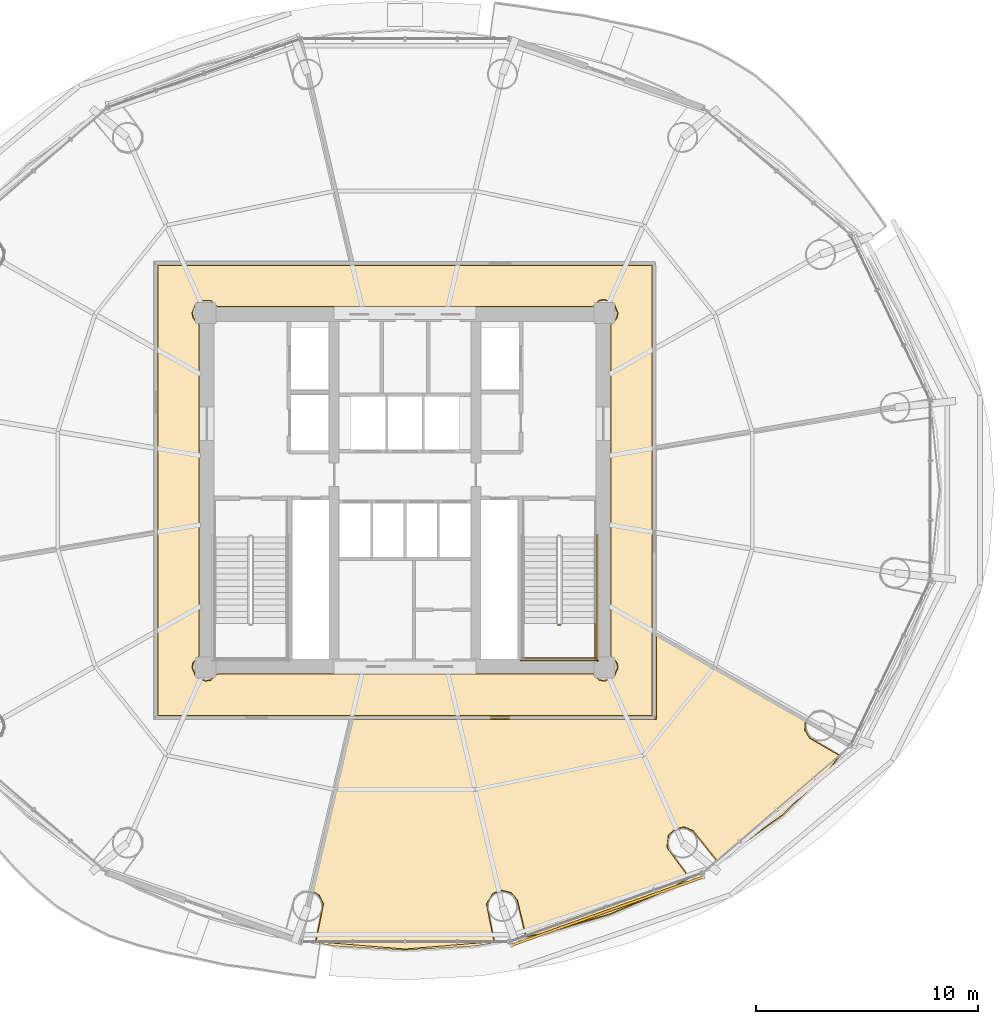
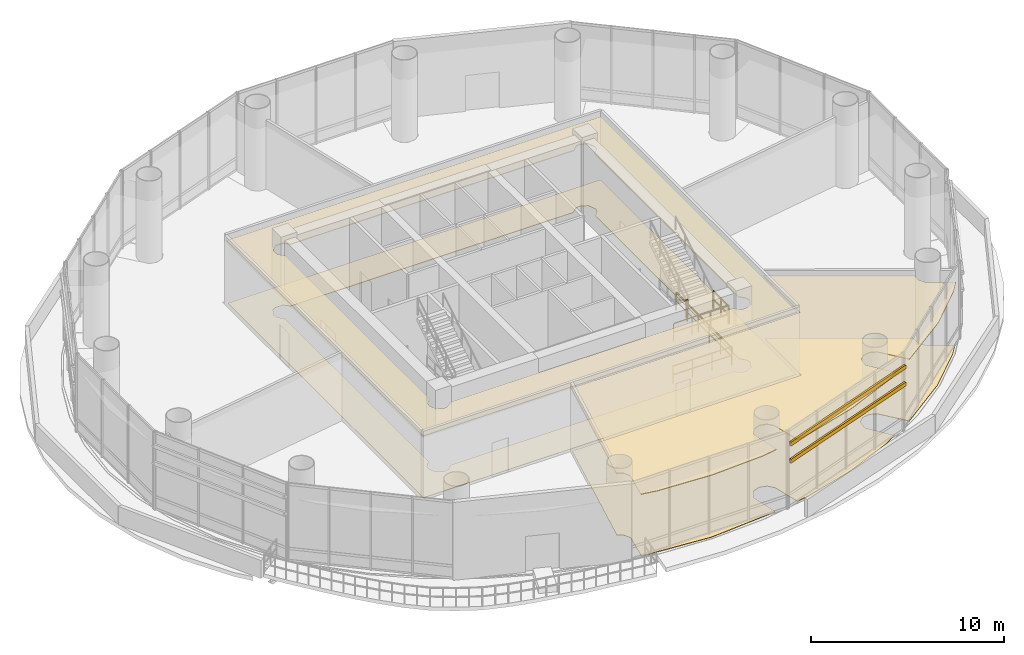
# One storey, part 27 of 29: 5 railings, 4 coverings, 2 shading devices.
"""IFC4 building model written with IfcOpenShell, lengths in metres."""

from ifc_helpers import new_model, si_unit, direction, frame, origin, origin_2d, place, context, subcontext, project, spatial, polyline, rectangle, hollow_rectangle, outline, extrude, source, transform, mapped, material, layer, layer_set, material_profile, profile_set, type_object, element, save


model = new_model("IFC4")

# Units and contexts
model_context = context("Model", 3, precision=1e-05, world=origin(), true_north=direction((-0.2419218956, 0.970295726276)))
body_context = subcontext(model_context, "Body", "Model", "MODEL_VIEW")
ifc_project = project(units=[si_unit("LENGTHUNIT", "METRE"), si_unit("AREAUNIT", "SQUARE_METRE"), si_unit("VOLUMEUNIT", "CUBIC_METRE"), si_unit("PLANEANGLEUNIT", "RADIAN"), si_unit("MASSUNIT", "GRAM", prefix="KILO")], contexts=[model_context])

# Site, building, storey
site_placement = place(None, origin())
site = spatial("IfcSite", under=ifc_project, at=site_placement, CompositionType="ELEMENT")
building_placement = place(site_placement, origin())
building = spatial("IfcBuilding", under=site, at=building_placement, Name="Cobrevalo Terracotta Tower", CompositionType="ELEMENT")
storey_placement = place(building_placement, frame((0.0, 0.0, 130.199951171875)))
storey = spatial("IfcBuildingStorey", under=building, at=storey_placement, Name="L34", CompositionType="ELEMENT", Elevation=130.199951171875)

# Coverings
ifc_material_1 = material(Name="Honed terracotta and granite tile", Category="masonry")
ifc_layer_1 = layer(ifc_material_1, 0.034912109375)
ifc_layer_set_1 = layer_set([ifc_layer_1], Name="Honed terracotta and granite tile")
covering_type_1 = type_object("IfcCoveringType", Name="Honed Terracotta & Granite Interior Flooring 35", PredefinedType="FLOORING", material=ifc_layer_set_1)
covering_1_placement = place(storey_placement, origin())
element("IfcCovering", 1, at=covering_1_placement, inside=storey, type_object=covering_type_1, Name="L34 Sky Transfer Concourse floor finish", PredefinedType="FLOORING", context=body_context, shape_type="SweptSolid", body=[
    extrude(outline(polyline([(49.155029296875, 16.64501953125), (26.844970703125, 16.64501953125), (26.844970703125, 36.955078125), (49.155029296875, 36.955078125), (49.155029296875, 16.64501953125)]), holes=[polyline([(29.53466796875, 35.094970703125), (29.2373046875, 35.373291015625), (28.7626953125, 35.373291015625), (28.561279296875, 35.23876953125), (28.379638671875, 34.800048828125), (28.4267578125, 34.5625), (28.705078125, 34.265380859375), (28.705078125, 19.334716796875), (28.4267578125, 19.037353515625), (28.379638671875, 18.800048828125), (28.561279296875, 18.361328125), (29.0, 18.1796875), (29.2373046875, 18.226806640625), (29.53466796875, 18.5048828125), (46.46533203125, 18.5048828125), (46.7626953125, 18.226806640625), (47.0, 18.1796875), (47.438720703125, 18.361328125), (47.620361328125, 18.800048828125), (47.5732421875, 19.037353515625), (47.294921875, 19.334716796875), (47.294921875, 34.265380859375), (47.5732421875, 34.5625), (47.620361328125, 34.800048828125), (47.438720703125, 35.23876953125), (47.0, 35.42041015625), (46.7626953125, 35.373291015625), (46.46533203125, 35.094970703125), (29.53466796875, 35.094970703125)])]), origin(), (0.0, 0.0, 1.0), 0.030029296875),
])
covering_2_placement = place(storey_placement, origin())
element("IfcCovering", 2, at=covering_2_placement, inside=storey, type_object=covering_type_1, Name="L34 Accessible Sky Restrooms WC floor finish", PredefinedType="FLOORING", context=body_context, shape_type="SweptSolid", body=[
    extrude(outline(polyline([(55.042236328125, 12.163818359375), (52.1142578125, 10.05810546875), (51.00927734375, 11.439697265625), (50.61572265625, 11.6123046875), (50.192626953125, 11.537109375), (49.8828125, 11.239501953125), (49.815673828125, 10.67724609375), (50.81689453125, 9.3134765625), (50.051025390625, 8.873779296875), (47.2236328125, 7.676025390625), (44.23828125, 6.805419921875), (43.473876953125, 6.675048828125), (43.072998046875, 8.323974609375), (42.78955078125, 8.646728515625), (42.374267578125, 8.757568359375), (41.967529296875, 8.619140625), (41.6689453125, 8.1376953125), (42.012451171875, 6.42529296875), (38.0, 6.10009765625), (33.987548828125, 6.42529296875), (34.3310546875, 8.1376953125), (34.141357421875, 8.5234375), (33.83544921875, 8.716064453125), (35.6240234375, 16.445068359375), (49.35498046875, 16.445068359375), (49.35498046875, 20.255615234375), (56.05615234375, 16.4072265625), (56.0361328125, 15.9638671875), (56.265869140625, 15.600830078125), (57.606201171875, 14.823974609375), (57.12060546875, 14.19970703125), (55.042236328125, 12.163818359375)])), origin(), (0.0, 0.0, 1.0), 0.030029296875),
])
ifc_material_2 = material(Name="Moisture-resistant mineral fibre ceiling", Category="gypsum")
ifc_layer_2 = layer(ifc_material_2, 0.0400390625)
ifc_layer_set_2 = layer_set([ifc_layer_2], Name="Moisture-resistant mineral fibre ceiling")
covering_type_2 = type_object("IfcCoveringType", Name="Moisture-Resistant Wet-Room Ceiling 40", PredefinedType="CEILING", material=ifc_layer_set_2)
covering_3_placement = place(storey_placement, frame((0.0, 0.0, 3.93994140625)))
element("IfcCovering", 3, at=covering_3_placement, inside=storey, type_object=covering_type_2, Name="L34 Accessible Sky Restrooms WC acoustic ceiling", PredefinedType="CEILING", context=body_context, shape_type="SweptSolid", body=[
    extrude(outline(polyline([(55.07177734375, 12.129638671875), (52.10302734375, 9.999755859375), (50.97998046875, 11.4052734375), (50.6103515625, 11.5673828125), (50.213134765625, 11.496826171875), (49.922119140625, 11.217529296875), (49.859130859375, 10.689453125), (50.884521484375, 9.30029296875), (50.071044921875, 8.83349609375), (47.23876953125, 7.633544921875), (44.248291015625, 6.76171875), (43.439697265625, 6.62353515625), (43.031982421875, 8.305419921875), (42.765625, 8.6083984375), (42.375732421875, 8.71240234375), (41.993896484375, 8.582275390625), (41.713623046875, 8.13037109375), (42.067138671875, 6.388916015625), (41.151123046875, 6.232421875), (38.0, 6.054931640625), (34.848876953125, 6.232421875), (33.932861328125, 6.388916015625), (34.286376953125, 8.13037109375), (34.1083984375, 8.492431640625), (33.782470703125, 8.6865234375), (35.58837890625, 16.489990234375), (49.31005859375, 16.489990234375), (49.31005859375, 20.33349609375), (56.1083984375, 16.42919921875), (56.079833984375, 15.97607421875), (56.29541015625, 15.635009765625), (57.673583984375, 14.83740234375), (57.154296875, 14.169677734375), (55.07177734375, 12.129638671875)])), origin(), (0.0, 0.0, 1.0), 0.050048828125),
])
ifc_material_3 = material(Name="Acoustic perforated gypsum ceiling", Category="gypsum")
ifc_layer_3 = layer(ifc_material_3, 0.050048828125)
ifc_layer_set_3 = layer_set([ifc_layer_3], Name="Acoustic perforated gypsum ceiling")
covering_type_3 = type_object("IfcCoveringType", Name="Perforated Acoustic Gypsum Ceiling 50", PredefinedType="CEILING", material=ifc_layer_set_3)
covering_4_placement = place(storey_placement, frame((0.0, 0.0, 3.93994140625)))
element("IfcCovering", 4, at=covering_4_placement, inside=storey, type_object=covering_type_3, Name="L34 Sky Transfer Concourse acoustic ceiling", PredefinedType="CEILING", context=body_context, shape_type="SweptSolid", body=[
    extrude(outline(polyline([(49.199951171875, 16.60009765625), (26.800048828125, 16.60009765625), (26.800048828125, 37.0), (49.199951171875, 37.0), (49.199951171875, 16.60009765625)]), holes=[polyline([(29.5107421875, 35.050048828125), (29.219970703125, 35.330810546875), (28.780029296875, 35.330810546875), (28.46923828125, 35.019775390625), (28.425537109375, 34.800048828125), (28.46923828125, 34.580078125), (28.75, 34.289306640625), (28.75, 19.310546875), (28.46923828125, 19.019775390625), (28.425537109375, 18.800048828125), (28.59375, 18.393798828125), (29.0, 18.2255859375), (29.219970703125, 18.269287109375), (29.5107421875, 18.550048828125), (46.4892578125, 18.550048828125), (46.780029296875, 18.269287109375), (47.0, 18.2255859375), (47.40625, 18.393798828125), (47.574462890625, 18.800048828125), (47.53076171875, 19.019775390625), (47.25, 19.310546875), (47.25, 34.289306640625), (47.53076171875, 34.580078125), (47.574462890625, 34.800048828125), (47.40625, 35.206298828125), (47.0, 35.37451171875), (46.780029296875, 35.330810546875), (46.4892578125, 35.050048828125), (29.5107421875, 35.050048828125)])]), origin(), (0.0, 0.0, 1.0), 0.050048828125),
])

# Railings
ifc_material_4 = material(Name="Painted galvanized steel", Category="steel")
railing_type = type_object("IfcRailingType", Name="Stair Well Guard Balustrade 1150", PredefinedType="GUARDRAIL", material=ifc_material_4)
railing_1_placement = place(storey_placement, frame((44.905029296875, 20.72998046875, 2.60009765625)))
element("IfcRailing", 5, at=railing_1_placement, inside=storey, type_object=railing_type, Name="L34 ST-2 stair guard 2", PredefinedType="GUARDRAIL", context=body_context, shape_type="SweptSolid", body=[
    extrude(rectangle(XDim=0.048095703125, YDim=0.048095703125, at=origin_2d()), frame((0.0, 0.0, 1.1259765625), z_axis=(1.0, 0.0, 0.0), x_axis=(0.0, 1.0, 0.0)), (0.0, 0.0, 1.0), 0.119873046875),
    extrude(rectangle(XDim=0.048095703125, YDim=0.048095703125, at=origin_2d()), frame((0.0, 0.0, 0.574951171875), z_axis=(1.0, 0.0, 0.0), x_axis=(0.0, 1.0, 0.0)), (0.0, 0.0, 1.0), 0.119873046875),
    extrude(rectangle(XDim=0.0419921875, YDim=0.0419921875, at=origin_2d()), origin(), (0.0, 0.0, 1.0), 1.101806640625),
    extrude(rectangle(XDim=0.0419921875, YDim=0.0419921875, at=origin_2d()), frame((0.119873046875, 0.0, 0.0)), (0.0, 0.0, 1.0), 1.101806640625),
])
railing_2_placement = place(storey_placement, frame((46.574951171875, 20.780029296875, 2.60009765625)))
element("IfcRailing", 6, at=railing_2_placement, inside=storey, type_object=railing_type, Name="L34 ST-2 stair guard 4", PredefinedType="GUARDRAIL", context=body_context, shape_type="SweptSolid", body=[
    extrude(rectangle(XDim=0.048095703125, YDim=0.048095703125, at=origin_2d()), frame((0.0, 0.0, 1.1259765625), z_axis=(0.0, -1.0, 0.0), x_axis=(1.0, 0.0, 0.0)), (0.0, 0.0, 1.0), 1.60498046875),
    extrude(rectangle(XDim=0.048095703125, YDim=0.048095703125, at=origin_2d()), frame((0.0, 0.0, 0.574951171875), z_axis=(0.0, -1.0, 0.0), x_axis=(1.0, 0.0, 0.0)), (0.0, 0.0, 1.0), 1.60498046875),
    extrude(rectangle(XDim=0.0419921875, YDim=0.0419921875, at=origin_2d()), origin(), (0.0, 0.0, 1.0), 1.101806640625),
    extrude(rectangle(XDim=0.0419921875, YDim=0.0419921875, at=origin_2d()), frame((0.0, -0.802490234375, 0.0)), (0.0, 0.0, 1.0), 1.101806640625),
    extrude(rectangle(XDim=0.0419921875, YDim=0.0419921875, at=origin_2d()), frame((0.0, -1.60498046875, 0.0)), (0.0, 0.0, 1.0), 1.101806640625),
])
railing_3_placement = place(storey_placement, frame((43.304931640625, 19.22509765625, 2.60009765625)))
element("IfcRailing", 7, at=railing_3_placement, inside=storey, type_object=railing_type, Name="L34 ST-2 stair guard 5", PredefinedType="GUARDRAIL", context=body_context, shape_type="SweptSolid", body=[
    extrude(rectangle(XDim=0.048095703125, YDim=0.048095703125, at=origin_2d()), frame((0.0, 0.0, 1.1259765625), z_axis=(1.0, 0.0, 0.0), x_axis=(0.0, 1.0, 0.0)), (0.0, 0.0, 1.0), 3.320068359375),
    extrude(rectangle(XDim=0.048095703125, YDim=0.048095703125, at=origin_2d()), frame((0.0, 0.0, 0.574951171875), z_axis=(1.0, 0.0, 0.0), x_axis=(0.0, 1.0, 0.0)), (0.0, 0.0, 1.0), 3.320068359375),
    extrude(rectangle(XDim=0.0419921875, YDim=0.0419921875, at=origin_2d()), origin(), (0.0, 0.0, 1.0), 1.101806640625),
    extrude(rectangle(XDim=0.0419921875, YDim=0.0419921875, at=origin_2d()), frame((1.106689453125, 0.0, 0.0)), (0.0, 0.0, 1.0), 1.101806640625),
    extrude(rectangle(XDim=0.0419921875, YDim=0.0419921875, at=origin_2d()), frame((2.21337890625, 0.0, 0.0)), (0.0, 0.0, 1.0), 1.101806640625),
    extrude(rectangle(XDim=0.0419921875, YDim=0.0419921875, at=origin_2d()), frame((3.320068359375, 0.0, 0.0)), (0.0, 0.0, 1.0), 1.101806640625),
])
railing_4_placement = place(storey_placement, frame((46.675048828125, 24.800048828125, 0.0)))
element("IfcRailing", 8, at=railing_4_placement, inside=storey, type_object=railing_type, Name="L34 ST-2 stair guard 11", PredefinedType="GUARDRAIL", context=body_context, shape_type="SweptSolid", body=[
    extrude(rectangle(XDim=0.048095703125, YDim=0.048095703125, at=origin_2d()), frame((0.0, 0.0, 1.1259765625), z_axis=(0.0, -1.0, 0.0), x_axis=(1.0, 0.0, 0.0)), (0.0, 0.0, 1.0), 5.72509765625),
    extrude(rectangle(XDim=0.048095703125, YDim=0.048095703125, at=origin_2d()), frame((0.0, 0.0, 0.574951171875), z_axis=(0.0, -1.0, 0.0), x_axis=(1.0, 0.0, 0.0)), (0.0, 0.0, 1.0), 5.72509765625),
    extrude(rectangle(XDim=0.0419921875, YDim=0.0419921875, at=origin_2d()), origin(), (0.0, 0.0, 1.0), 1.101806640625),
    extrude(rectangle(XDim=0.0419921875, YDim=0.0419921875, at=origin_2d()), frame((0.0, -1.14501953125, 0.0)), (0.0, 0.0, 1.0), 1.101806640625),
    extrude(rectangle(XDim=0.0419921875, YDim=0.0419921875, at=origin_2d()), frame((0.0, -2.2900390625, 0.0)), (0.0, 0.0, 1.0), 1.101806640625),
    extrude(rectangle(XDim=0.0419921875, YDim=0.0419921875, at=origin_2d()), frame((0.0, -3.43505859375, 0.0)), (0.0, 0.0, 1.0), 1.101806640625),
    extrude(rectangle(XDim=0.0419921875, YDim=0.0419921875, at=origin_2d()), frame((0.0, -4.580078125, 0.0)), (0.0, 0.0, 1.0), 1.101806640625),
    extrude(rectangle(XDim=0.0419921875, YDim=0.0419921875, at=origin_2d()), frame((0.0, -5.72509765625, 0.0)), (0.0, 0.0, 1.0), 1.101806640625),
])
railing_5_placement = place(storey_placement, frame((43.205078125, 19.125, 0.0)))
element("IfcRailing", 9, at=railing_5_placement, inside=storey, type_object=railing_type, Name="L34 ST-2 stair guard 12", PredefinedType="GUARDRAIL", context=body_context, shape_type="SweptSolid", body=[
    extrude(rectangle(XDim=0.048095703125, YDim=0.048095703125, at=origin_2d()), frame((0.0, 0.0, 1.1259765625), z_axis=(1.0, 0.0, 0.0), x_axis=(0.0, 1.0, 0.0)), (0.0, 0.0, 1.0), 3.52001953125),
    extrude(rectangle(XDim=0.048095703125, YDim=0.048095703125, at=origin_2d()), frame((0.0, 0.0, 0.574951171875), z_axis=(1.0, 0.0, 0.0), x_axis=(0.0, 1.0, 0.0)), (0.0, 0.0, 1.0), 3.52001953125),
    extrude(rectangle(XDim=0.0419921875, YDim=0.0419921875, at=origin_2d()), origin(), (0.0, 0.0, 1.0), 1.101806640625),
    extrude(rectangle(XDim=0.0419921875, YDim=0.0419921875, at=origin_2d()), frame((1.17333984375, 0.0, 0.0)), (0.0, 0.0, 1.0), 1.101806640625),
    extrude(rectangle(XDim=0.0419921875, YDim=0.0419921875, at=origin_2d()), frame((2.3466796875, 0.0, 0.0)), (0.0, 0.0, 1.0), 1.101806640625),
    extrude(rectangle(XDim=0.0419921875, YDim=0.0419921875, at=origin_2d()), frame((3.52001953125, 0.0, 0.0)), (0.0, 0.0, 1.0), 1.101806640625),
])

# Shading devices
ifc_material_5 = material(Name="Extruded fired architectural terracotta", Category="masonry")
ifc_material_profile = material_profile(ifc_material_5, hollow_rectangle(XDim=0.110107421875, YDim=0.239990234375, WallThickness=0.01806640625, at=origin_2d()), Name="BAGUETTE 110x240")
ifc_profile_set = profile_set([ifc_material_profile], Name="Extruded fired architectural terracotta")
shading_device_type = type_object("IfcShadingDeviceType", Name="Horizontal Terracotta Baguette Screen 110x240", PredefinedType="USERDEFINED", material=ifc_profile_set)
shared_shape = source(origin(), body_context, "Body", "SweptSolid", [
    extrude(hollow_rectangle(XDim=0.110107421875, YDim=0.239990234375, WallThickness=0.01806640625, at=origin_2d()), origin(), (0.0, 0.0, 1.0), 9.168212890625),
])
for number, where, z_axis, x_axis, name in (
    (10, (42.8134765625, 6.27294921875, 3.056640625), (0.942098639375, 0.335335881897, 0.0), (-0.335335881897, 0.942098639375, 0.0), "CW-SK-L34-S13 horizontal terracotta baguette 1"),
    (11, (42.8134765625, 6.27294921875, 4.141357421875), (0.942098639375, 0.335335881897, 0.0), (-0.335335881897, 0.942098639375, 0.0), "CW-SK-L34-S13 horizontal terracotta baguette 2"),
):
    element("IfcShadingDevice", number, at=place(storey_placement, frame(where, z_axis=z_axis, x_axis=x_axis)), inside=storey, type_object=shading_device_type, Name=name, ObjectType="BAGUETTE", PredefinedType="USERDEFINED", context=body_context, shape_type="MappedRepresentation", body=[
        mapped(shared_shape, transform((0.0, 0.0, 0.0), scale=1.0)),
    ])

save(model, "model.ifc")
